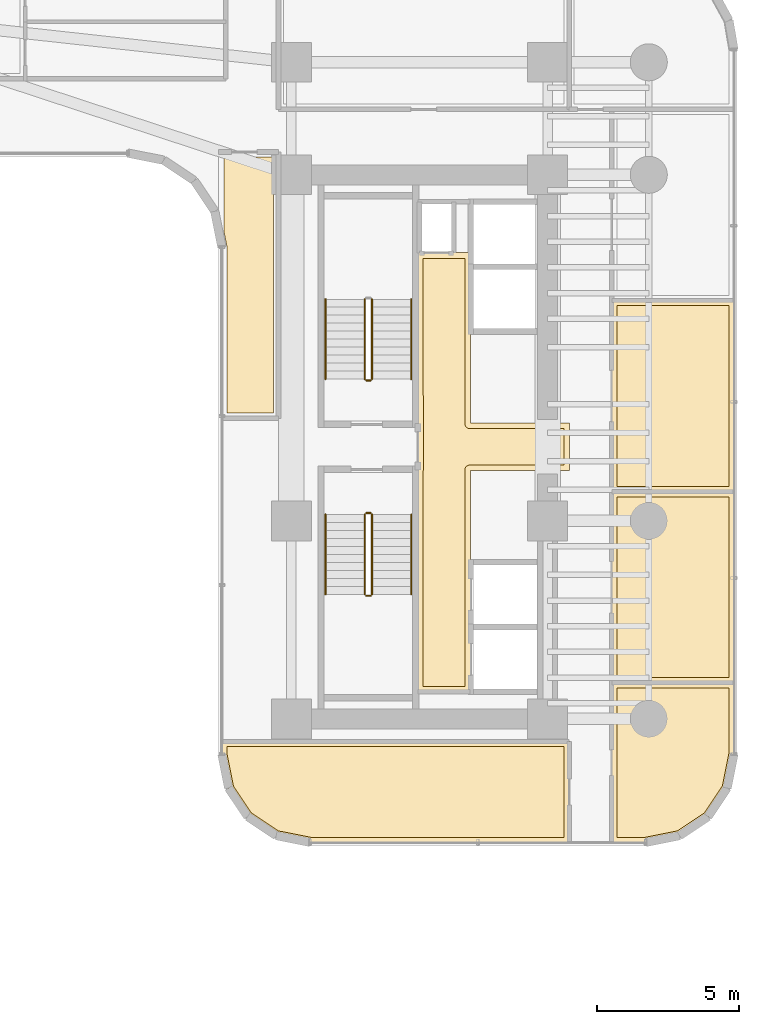
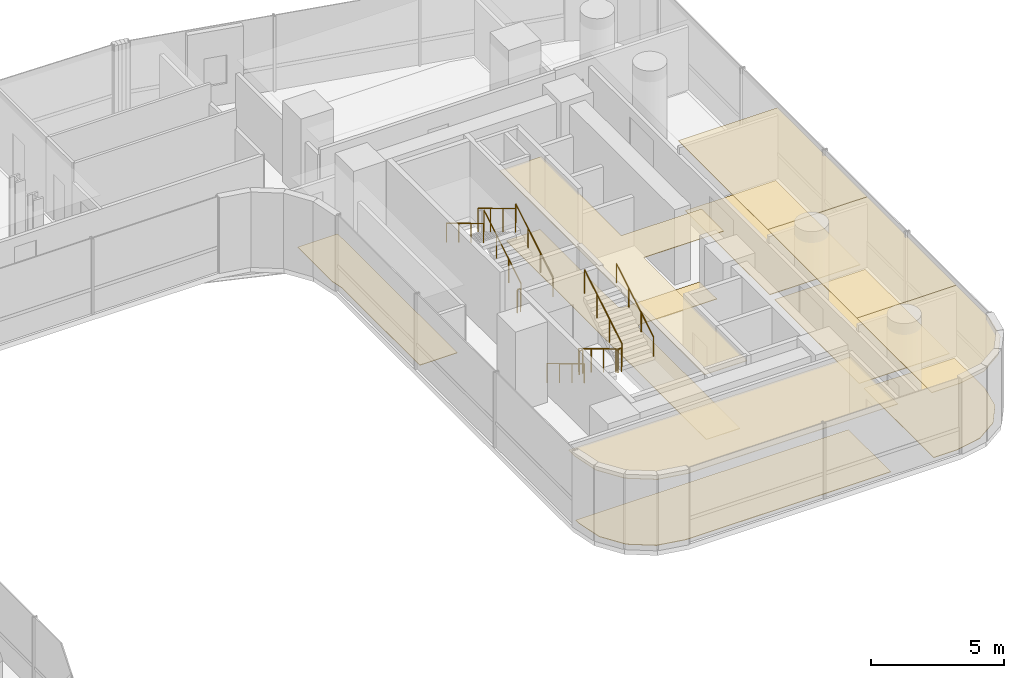
# One storey, part 39 of 41: 11 coverings, 11 railings.
"""IFC4 building model written with IfcOpenShell, lengths in metres."""

import ifcopenshell
import ifcopenshell.guid

model = None  # the IFC model being written
_history = None  # IfcOwnerHistory: only IFC2X3 demands one
_inside = {}  # id of a spatial element -> (the spatial element, [elements in it])
_under = {}  # id of a project, library or spatial element -> (it, [spatial elements below it])
_declared = {}  # id of a project -> (the project, [libraries it declares])
_typed = {}  # id of a type object -> (the type object, [elements of that type])
_made_of = {}  # id of a material, layer set ... -> (it, [elements and type objects made of it])


def new_model(schema):
    """Start an empty IFC model of exactly this schema.

    Asked for "IFC4X3", IfcOpenShell would pick the latest addendum, in which some entities
    have other attributes; the version numbers below select the first issue.
    IFC2X3 requires an IfcOwnerHistory on every rooted entity: one is made here for all.
    """
    global model, _history
    if schema == "IFC4X3":
        model = ifcopenshell.file(schema_version=(4, 3, 0, 0))
    else:
        model = ifcopenshell.file(schema=schema)
    _inside.clear()
    _under.clear()
    _declared.clear()
    _typed.clear()
    _made_of.clear()
    _history = None
    if model.schema == "IFC2X3":
        org = make("IfcOrganization", Name="unknown")
        user = make(
            "IfcPersonAndOrganization",
            ThePerson=make("IfcPerson", FamilyName="unknown"),
            TheOrganization=org,
        )
        app = make(
            "IfcApplication",
            ApplicationDeveloper=org,
            Version="unknown",
            ApplicationFullName="unknown",
            ApplicationIdentifier="unknown",
        )
        _history = make(
            "IfcOwnerHistory",
            OwningUser=user,
            OwningApplication=app,
            ChangeAction="ADDED",
            CreationDate=0,
        )
    return model


def make(cls, **values):
    """One entity of the class cls with the attributes given. An attribute that is None is left unset."""
    return model.create_entity(
        cls, **{name: value for name, value in values.items() if value is not None}
    )


def rooted(cls, **values):
    """An entity with a GlobalId (a new one), such as an element, a storey or a relation."""
    return make(cls, GlobalId=ifcopenshell.guid.new(), OwnerHistory=_history, **values)


def si_unit(unit_type, name, prefix=None):
    """IfcSIUnit, for example si_unit("LENGTHUNIT", "METRE", prefix="MILLI")."""
    return make("IfcSIUnit", UnitType=unit_type, Prefix=prefix, Name=name)


def assignment(units):
    """IfcUnitAssignment: the units of a project."""
    return None if units is None else make("IfcUnitAssignment", Units=units)


def point(xyz):
    """IfcCartesianPoint."""
    return None if xyz is None else make("IfcCartesianPoint", Coordinates=xyz)


def direction(xyz):
    """IfcDirection."""
    return None if xyz is None else make("IfcDirection", DirectionRatios=xyz)


def frame(location, z_axis=None, x_axis=None):
    """IfcAxis2Placement3D, a coordinate frame: its origin and axes. An axis left out is left unset."""
    return make(
        "IfcAxis2Placement3D",
        Location=point(location),
        Axis=direction(z_axis),
        RefDirection=direction(x_axis),
    )


def frame_2d(location, x_axis=None):
    """IfcAxis2Placement2D, a coordinate frame in the plane: its origin and x axis."""
    return make(
        "IfcAxis2Placement2D", Location=point(location), RefDirection=direction(x_axis)
    )


def origin():
    """The frame at (0, 0, 0) with its axes left unset."""
    return frame((0.0, 0.0, 0.0))


def origin_2d():
    """The frame at (0, 0) in the plane with its x axis left unset."""
    return frame_2d((0.0, 0.0))


def place(relative_to, where):
    """IfcLocalPlacement: puts the frame where relative to a parent placement (None: the world)."""
    return make(
        "IfcLocalPlacement", PlacementRelTo=relative_to, RelativePlacement=where
    )


def context(
    kind, dimensions, precision=None, world=None, true_north=None, identifier=None
):
    """IfcGeometricRepresentationContext, for example the 3D "Model" context."""
    return make(
        "IfcGeometricRepresentationContext",
        ContextIdentifier=identifier,
        ContextType=kind,
        CoordinateSpaceDimension=dimensions,
        Precision=precision,
        WorldCoordinateSystem=world,
        TrueNorth=true_north,
    )


def subcontext(parent, identifier, kind, view, scale=None):
    """IfcGeometricRepresentationSubContext, for example "Body" below "Model"."""
    return make(
        "IfcGeometricRepresentationSubContext",
        ContextIdentifier=identifier,
        ContextType=kind,
        ParentContext=parent,
        TargetScale=scale,
        TargetView=view,
    )


def project(units=None, contexts=None):
    """IfcProject with its units and contexts."""
    return rooted(
        "IfcProject",
        Name="project",
        RepresentationContexts=contexts,
        UnitsInContext=assignment(units),
    )


def spatial(cls, under=None, at=None, **own):
    """A site, building, storey or space (cls), placed at a placement, below another one or the project."""
    s = rooted(cls, ObjectPlacement=at, **own)
    if under is not None:
        _under.setdefault(under.id(), (under, []))[1].append(s)
    return s


def polyline(points):
    """IfcPolyline through the points."""
    return make("IfcPolyline", Points=[point(p) for p in points])


def profile(cls, at=None, kind="AREA", **sizes):
    """A parametric profile (cls). Its sizes go by their IFC names, for example OverallWidth=200.0."""
    return make(cls, ProfileType=kind, Position=at, **sizes)


def circle(**sizes):
    """IfcCircleProfileDef."""
    return profile("IfcCircleProfileDef", **sizes)


def outline(outer, holes=None, kind="AREA"):
    """IfcArbitraryClosedProfileDef: a profile drawn as a closed curve; with holes, ...WithVoids."""
    if holes is None:
        return make("IfcArbitraryClosedProfileDef", ProfileType=kind, OuterCurve=outer)
    return make(
        "IfcArbitraryProfileDefWithVoids",
        ProfileType=kind,
        OuterCurve=outer,
        InnerCurves=holes,
    )


def extrude(swept, where, along, depth):
    """IfcExtrudedAreaSolid: the profile swept, set in the frame where, extruded along a direction by depth."""
    return make(
        "IfcExtrudedAreaSolid",
        SweptArea=swept,
        Position=where,
        ExtrudedDirection=direction(along),
        Depth=depth,
    )


def shape(context_of_items, identifier, shape_type, items):
    """IfcShapeRepresentation: the items that make up one representation, for example the "Body"."""
    return make(
        "IfcShapeRepresentation",
        ContextOfItems=context_of_items,
        RepresentationIdentifier=identifier,
        RepresentationType=shape_type,
        Items=items,
    )


def material(Name=None, Category=None):
    """IfcMaterial."""
    return make("IfcMaterial", Name=Name, Category=Category)


def layer(
    of_material, thickness, ventilated=None, Name=None, Category=None, Priority=None
):
    """IfcMaterialLayer: one layer of a wall or slab, of a material (None: an air gap)."""
    return make(
        "IfcMaterialLayer",
        Material=of_material,
        LayerThickness=thickness,
        IsVentilated=ventilated,
        Name=Name,
        Category=Category,
        Priority=Priority,
    )


def layer_set(layers, Name=None):
    """IfcMaterialLayerSet."""
    return make("IfcMaterialLayerSet", MaterialLayers=layers, LayerSetName=Name)


def made_of(thing, what):
    """Note that an element or type object is made of a material, layer set ...; save() writes the relation."""
    if what is not None:
        _made_of.setdefault(what.id(), (what, []))[1].append(thing)
    return thing


def type_object(cls, material=None, **own):
    """A type object (cls), such as IfcWallType, which elements share."""
    return made_of(rooted(cls, **own), material)


def element(
    cls,
    number,
    at=None,
    inside=None,
    cuts=None,
    type_object=None,
    material=None,
    context=None,
    identifier="Body",
    shape_type=None,
    held_by="IfcProductDefinitionShape",
    body=None,
    shapes=None,
    **own,
):
    """One element of the class cls, such as IfcWall. Its Tag is "e" and its number.

    at: its placement. inside: the storey or other place that contains it. cuts: it is an
    opening in that element (IfcRelVoidsElement). A single representation is given by context,
    identifier, shape_type and body (its items); several are given by shapes. held_by: the class
    of the entity that holds the representations. save() writes the other relations.
    """
    e = rooted(cls, Tag="e%d" % number, ObjectPlacement=at, **own)
    if body is not None:
        shapes = [shape(context, identifier, shape_type, body)]
    if shapes is not None:
        e.Representation = make(held_by, Representations=shapes)
    if inside is not None:
        _inside.setdefault(inside.id(), (inside, []))[1].append(e)
    if cuts is not None:
        rooted(
            "IfcRelVoidsElement", RelatingBuildingElement=cuts, RelatedOpeningElement=e
        )
    if type_object is not None:
        _typed.setdefault(type_object.id(), (type_object, []))[1].append(e)
    return made_of(e, material)


def aggregate(whole, parts):
    """IfcRelAggregates: a whole, such as a stair, and the parts it consists of."""
    return rooted("IfcRelAggregates", RelatingObject=whole, RelatedObjects=parts)


def save(model, path):
    """Write the relations noted so far, then the file.

    IfcRelAggregates (storeys below a building ...), IfcRelContainedInSpatialStructure (elements
    in a storey), IfcRelDefinesByType, IfcRelAssociatesMaterial and IfcRelDeclares: one each for
    every whole, place, type object, material and project.
    """
    for whole, parts in _under.values():
        aggregate(whole, parts)
    for where, things in _inside.values():
        rooted(
            "IfcRelContainedInSpatialStructure",
            RelatedElements=things,
            RelatingStructure=where,
        )
    for kind, things in _typed.values():
        rooted("IfcRelDefinesByType", RelatedObjects=things, RelatingType=kind)
    for what, things in _made_of.values():
        rooted("IfcRelAssociatesMaterial", RelatedObjects=things, RelatingMaterial=what)
    for by, libraries in _declared.values():
        rooted("IfcRelDeclares", RelatingContext=by, RelatedDefinitions=libraries)
    model.write(path)


model = new_model("IFC4")

# Units and contexts
model_context = context("Model", 3, precision=1e-05, world=origin(), true_north=direction((0.0, 1.0)))
body_context = subcontext(model_context, "Body", "Model", "MODEL_VIEW")
ifc_project = project(units=[si_unit("LENGTHUNIT", "METRE"), si_unit("AREAUNIT", "SQUARE_METRE"), si_unit("VOLUMEUNIT", "CUBIC_METRE"), si_unit("PLANEANGLEUNIT", "RADIAN"), si_unit("MASSUNIT", "GRAM", prefix="KILO")], contexts=[model_context])

# Site, building, storey
site_placement = place(None, origin())
site = spatial("IfcSite", under=ifc_project, at=site_placement, CompositionType="ELEMENT")
building_placement = place(site_placement, origin())
building = spatial("IfcBuilding", under=site, at=building_placement, Name="Valdorenza Pilgrim Sanctuary Tower", CompositionType="ELEMENT")
storey_placement = place(building_placement, frame((0.0, 0.0, 88.89990234375)))
storey = spatial("IfcBuildingStorey", under=building, at=storey_placement, Name="L22", CompositionType="ELEMENT", Elevation=88.89990234375)

# Coverings
ifc_material_1 = material(Name="Micro-perforated acoustic mineral ceiling tile", Category="gypsum")
ifc_layer_1 = layer(ifc_material_1, 0.02490234375, Name="Micro-perforated acoustic mineral ceiling tile")
ifc_layer_set_1 = layer_set([ifc_layer_1], Name="Micro-perforated acoustic mineral ceiling tile")
covering_type_1 = type_object("IfcCoveringType", Name="COV-CLG-ACU", PredefinedType="CEILING", material=ifc_layer_set_1)
covering_1_placement = place(storey_placement, frame((0.0, 0.0, 3.16015625)))
element("IfcCovering", 1, at=covering_1_placement, inside=storey, type_object=covering_type_1, Name="L22 Core B Passenger Lift Lobby Acoustic Ceiling", PredefinedType="CEILING", context=body_context, shape_type="SweptSolid", body=[
    extrude(outline(polyline([(20.287109375, -0.814697265625), (20.287109375, 0.814697265625), (20.28662109375, 0.815185546875), (20.2861328125, 0.81640625), (20.28564453125, 0.81787109375), (20.285400390625, 0.819091796875), (20.28515625, 0.820556640625), (20.284912109375, 0.822021484375), (20.284912109375, 6.800048828125), (20.28515625, 6.801513671875), (20.285400390625, 6.802978515625), (20.28564453125, 6.804443359375), (20.2861328125, 6.8056640625), (20.286865234375, 6.80712890625), (20.28759765625, 6.808349609375), (20.288330078125, 6.8095703125), (20.289306640625, 6.810546875), (20.29052734375, 6.8115234375), (20.291748046875, 6.8125), (20.29296875, 6.813232421875), (20.294189453125, 6.81396484375), (20.295654296875, 6.814453125), (20.297119140625, 6.814697265625), (20.298583984375, 6.81494140625), (20.300048828125, 6.81494140625), (20.347900390625, 6.81494140625), (20.349365234375, 6.81494140625), (20.350830078125, 6.814697265625), (20.352294921875, 6.814453125), (20.353515625, 6.81396484375), (20.35498046875, 6.813232421875), (20.35546875, 6.81298828125), (21.544677734375, 6.81298828125), (21.545166015625, 6.813232421875), (21.54638671875, 6.81396484375), (21.5478515625, 6.814453125), (21.54931640625, 6.814697265625), (21.550537109375, 6.81494140625), (21.552001953125, 6.81494140625), (22.1201171875, 6.81494140625), (22.12158203125, 6.81494140625), (22.122802734375, 6.814697265625), (22.12451171875, 6.814453125), (22.125732421875, 6.81396484375), (22.127197265625, 6.813232421875), (22.12841796875, 6.8125), (22.12939453125, 6.8115234375), (22.130615234375, 6.810546875), (22.131591796875, 6.8095703125), (22.132568359375, 6.808349609375), (22.13330078125, 6.80712890625), (22.1337890625, 6.8056640625), (22.134521484375, 6.804443359375), (22.134765625, 6.802978515625), (22.135009765625, 6.801513671875), (22.135009765625, 6.800048828125), (22.135009765625, 0.8349609375), (25.60009765625, 0.8349609375), (25.6015625, 0.8349609375), (25.602783203125, 0.834716796875), (25.6044921875, 0.83447265625), (25.605712890625, 0.833984375), (25.607177734375, 0.833251953125), (25.6083984375, 0.83251953125), (25.609619140625, 0.83154296875), (25.610595703125, 0.83056640625), (25.611572265625, 0.82958984375), (25.612548828125, 0.828369140625), (25.61328125, 0.8271484375), (25.614013671875, 0.82568359375), (25.614501953125, 0.824462890625), (25.61474609375, 0.822998046875), (25.614990234375, 0.821533203125), (25.614990234375, 0.820068359375), (25.614990234375, -0.820068359375), (25.614990234375, -0.821533203125), (25.61474609375, -0.822998046875), (25.614501953125, -0.824462890625), (25.614013671875, -0.82568359375), (25.61328125, -0.8271484375), (25.612548828125, -0.828369140625), (25.611572265625, -0.82958984375), (25.610595703125, -0.83056640625), (25.609619140625, -0.83154296875), (25.6083984375, -0.83251953125), (25.607177734375, -0.833251953125), (25.605712890625, -0.833984375), (25.6044921875, -0.83447265625), (25.602783203125, -0.834716796875), (25.6015625, -0.8349609375), (25.60009765625, -0.8349609375), (22.135009765625, -0.8349609375), (22.135009765625, -8.60009765625), (22.135009765625, -8.6015625), (22.134765625, -8.602783203125), (22.134521484375, -8.6044921875), (22.1337890625, -8.605712890625), (22.13330078125, -8.607177734375), (22.132568359375, -8.6083984375), (22.131591796875, -8.609619140625), (22.130615234375, -8.610595703125), (22.12939453125, -8.611572265625), (22.12841796875, -8.612548828125), (22.127197265625, -8.61328125), (22.125732421875, -8.614013671875), (22.12451171875, -8.614501953125), (22.122802734375, -8.61474609375), (22.12158203125, -8.614990234375), (22.1201171875, -8.614990234375), (20.300048828125, -8.614990234375), (20.298583984375, -8.614990234375), (20.297119140625, -8.61474609375), (20.295654296875, -8.614501953125), (20.294189453125, -8.614013671875), (20.29296875, -8.61328125), (20.291748046875, -8.612548828125), (20.29052734375, -8.611572265625), (20.289306640625, -8.610595703125), (20.288330078125, -8.609619140625), (20.28759765625, -8.6083984375), (20.286865234375, -8.607177734375), (20.2861328125, -8.605712890625), (20.28564453125, -8.6044921875), (20.285400390625, -8.602783203125), (20.28515625, -8.6015625), (20.284912109375, -8.60009765625), (20.284912109375, -0.822021484375), (20.28515625, -0.820556640625), (20.285400390625, -0.819091796875), (20.28564453125, -0.81787109375), (20.2861328125, -0.81640625), (20.28662109375, -0.815185546875), (20.287109375, -0.814697265625)])), origin(), (0.0, 0.0, 1.0), 0.02490234375),
])
covering_2_placement = place(storey_placement, frame((0.0, 0.0, 3.16015625)))
element("IfcCovering", 2, at=covering_2_placement, inside=storey, type_object=covering_type_1, Name="L22 Theological Reference Library L22-BS Acoustic Ceiling", PredefinedType="CEILING", context=body_context, shape_type="SweptSolid", body=[
    extrude(outline(polyline([(25.614990234375, -13.889892578125), (25.614990234375, -13.8916015625), (25.61474609375, -13.892822265625), (25.614501953125, -13.894287109375), (25.614013671875, -13.895751953125), (25.61328125, -13.897216796875), (25.612548828125, -13.898193359375), (25.611572265625, -13.8994140625), (25.610595703125, -13.900634765625), (25.609619140625, -13.901611328125), (25.6083984375, -13.902587890625), (25.607177734375, -13.9033203125), (25.605712890625, -13.90380859375), (25.6044921875, -13.904296875), (25.602783203125, -13.90478515625), (25.6015625, -13.90478515625), (25.60009765625, -13.905029296875), (16.5107421875, -13.905029296875), (16.509521484375, -13.90478515625), (16.5078125, -13.90478515625), (15.3154296875, -13.66748046875), (15.31396484375, -13.6669921875), (15.3125, -13.66650390625), (15.311279296875, -13.666015625), (15.31005859375, -13.665283203125), (14.308349609375, -12.995849609375), (14.30712890625, -12.9951171875), (14.305908203125, -12.993896484375), (14.304931640625, -12.992919921875), (14.30419921875, -12.99169921875), (13.634765625, -11.989990234375), (13.634033203125, -11.98876953125), (13.63330078125, -11.9873046875), (13.6328125, -11.986083984375), (13.632568359375, -11.984619140625), (13.395263671875, -10.7919921875), (13.39501953125, -10.79052734375), (13.39501953125, -10.789306640625), (13.39501953125, -10.35009765625), (13.39501953125, -10.348388671875), (13.395263671875, -10.34716796875), (13.3955078125, -10.345703125), (13.39599609375, -10.34423828125), (13.396728515625, -10.343017578125), (13.3974609375, -10.341796875), (13.3984375, -10.340576171875), (13.3994140625, -10.33935546875), (13.400390625, -10.33837890625), (13.401611328125, -10.33740234375), (13.40283203125, -10.3369140625), (13.404296875, -10.336181640625), (13.405517578125, -10.335693359375), (13.406982421875, -10.335205078125), (13.408447265625, -10.335205078125), (13.409912109375, -10.3349609375), (25.60009765625, -10.3349609375), (25.6015625, -10.335205078125), (25.602783203125, -10.335205078125), (25.6044921875, -10.335693359375), (25.605712890625, -10.336181640625), (25.607177734375, -10.3369140625), (25.6083984375, -10.33740234375), (25.609619140625, -10.33837890625), (25.610595703125, -10.33935546875), (25.611572265625, -10.340576171875), (25.612548828125, -10.341796875), (25.61328125, -10.343017578125), (25.614013671875, -10.34423828125), (25.614501953125, -10.345703125), (25.61474609375, -10.34716796875), (25.614990234375, -10.348388671875), (25.614990234375, -10.35009765625), (25.614990234375, -13.889892578125)])), origin(), (0.0, 0.0, 1.0), 0.02490234375),
])
covering_3_placement = place(storey_placement, frame((0.0, 0.0, 3.16015625)))
element("IfcCovering", 3, at=covering_3_placement, inside=storey, type_object=covering_type_1, Name="L22 East Reading Lounge L22-EB1 Acoustic Ceiling", PredefinedType="CEILING", context=body_context, shape_type="SweptSolid", body=[
    extrude(outline(polyline([(31.389892578125, -8.2724609375), (31.3916015625, -8.272705078125), (31.392822265625, -8.272705078125), (31.394287109375, -8.273193359375), (31.395751953125, -8.273681640625), (31.397216796875, -8.2744140625), (31.398193359375, -8.27490234375), (31.3994140625, -8.27587890625), (31.400634765625, -8.27685546875), (31.401611328125, -8.278076171875), (31.402587890625, -8.279296875), (31.4033203125, -8.280517578125), (31.40380859375, -8.28173828125), (31.404296875, -8.283203125), (31.40478515625, -8.28466796875), (31.40478515625, -8.285888671875), (31.405029296875, -8.28759765625), (31.405029296875, -10.789306640625), (31.40478515625, -10.79052734375), (31.40478515625, -10.7919921875), (31.16748046875, -11.984619140625), (31.1669921875, -11.986083984375), (31.16650390625, -11.9873046875), (31.166015625, -11.98876953125), (31.165283203125, -11.989990234375), (30.495849609375, -12.99169921875), (30.4951171875, -12.992919921875), (30.493896484375, -12.993896484375), (30.492919921875, -12.9951171875), (30.49169921875, -12.995849609375), (29.489990234375, -13.665283203125), (29.48876953125, -13.666015625), (29.4873046875, -13.66650390625), (29.486083984375, -13.6669921875), (29.484619140625, -13.66748046875), (28.2919921875, -13.90478515625), (28.29052734375, -13.90478515625), (28.289306640625, -13.905029296875), (27.10009765625, -13.905029296875), (27.098388671875, -13.90478515625), (27.09716796875, -13.90478515625), (27.095703125, -13.904296875), (27.09423828125, -13.90380859375), (27.093017578125, -13.9033203125), (27.091796875, -13.902587890625), (27.090576171875, -13.901611328125), (27.08935546875, -13.900634765625), (27.08837890625, -13.8994140625), (27.08740234375, -13.898193359375), (27.0869140625, -13.897216796875), (27.086181640625, -13.895751953125), (27.085693359375, -13.894287109375), (27.085205078125, -13.892822265625), (27.085205078125, -13.8916015625), (27.0849609375, -13.889892578125), (27.0849609375, -8.28759765625), (27.085205078125, -8.285888671875), (27.085205078125, -8.28466796875), (27.085693359375, -8.283203125), (27.086181640625, -8.28173828125), (27.0869140625, -8.280517578125), (27.08740234375, -8.279296875), (27.08837890625, -8.278076171875), (27.08935546875, -8.27685546875), (27.090576171875, -8.27587890625), (27.091796875, -8.27490234375), (27.093017578125, -8.2744140625), (27.09423828125, -8.273681640625), (27.095703125, -8.273193359375), (27.09716796875, -8.272705078125), (27.098388671875, -8.272705078125), (27.10009765625, -8.2724609375), (31.389892578125, -8.2724609375)])), origin(), (0.0, 0.0, 1.0), 0.02490234375),
])
covering_4_placement = place(storey_placement, frame((0.0, 0.0, 3.16015625)))
element("IfcCovering", 4, at=covering_4_placement, inside=storey, type_object=covering_type_1, Name="L22 East Reading Lounge L22-EB2 Acoustic Ceiling", PredefinedType="CEILING", context=body_context, shape_type="SweptSolid", body=[
    extrude(outline(polyline([(27.0849609375, -1.574951171875), (27.085205078125, -1.573486328125), (27.085205078125, -1.572021484375), (27.085693359375, -1.570556640625), (27.086181640625, -1.5693359375), (27.0869140625, -1.56787109375), (27.08740234375, -1.566650390625), (27.08837890625, -1.5654296875), (27.08935546875, -1.564453125), (27.090576171875, -1.5634765625), (27.091796875, -1.5625), (27.093017578125, -1.561767578125), (27.09423828125, -1.56103515625), (27.095703125, -1.560546875), (27.09716796875, -1.560302734375), (27.098388671875, -1.56005859375), (27.10009765625, -1.56005859375), (31.389892578125, -1.56005859375), (31.3916015625, -1.56005859375), (31.392822265625, -1.560302734375), (31.394287109375, -1.560546875), (31.395751953125, -1.56103515625), (31.397216796875, -1.561767578125), (31.398193359375, -1.5625), (31.3994140625, -1.5634765625), (31.400634765625, -1.564453125), (31.401611328125, -1.5654296875), (31.402587890625, -1.566650390625), (31.4033203125, -1.56787109375), (31.40380859375, -1.5693359375), (31.404296875, -1.570556640625), (31.40478515625, -1.572021484375), (31.40478515625, -1.573486328125), (31.405029296875, -1.574951171875), (31.405029296875, -8.285400390625), (31.40478515625, -8.287109375), (31.40478515625, -8.288330078125), (31.404296875, -8.289794921875), (31.40380859375, -8.291259765625), (31.4033203125, -8.29248046875), (31.402587890625, -8.293701171875), (31.401611328125, -8.294921875), (31.400634765625, -8.296142578125), (31.3994140625, -8.297119140625), (31.398193359375, -8.298095703125), (31.397216796875, -8.298583984375), (31.395751953125, -8.29931640625), (31.394287109375, -8.2998046875), (31.392822265625, -8.30029296875), (31.3916015625, -8.30029296875), (31.389892578125, -8.300537109375), (27.10009765625, -8.300537109375), (27.098388671875, -8.30029296875), (27.09716796875, -8.30029296875), (27.095703125, -8.2998046875), (27.09423828125, -8.29931640625), (27.093017578125, -8.298583984375), (27.091796875, -8.298095703125), (27.090576171875, -8.297119140625), (27.08935546875, -8.296142578125), (27.08837890625, -8.294921875), (27.08740234375, -8.293701171875), (27.0869140625, -8.29248046875), (27.086181640625, -8.291259765625), (27.085693359375, -8.289794921875), (27.085205078125, -8.288330078125), (27.085205078125, -8.287109375), (27.0849609375, -8.285400390625), (27.0849609375, -1.574951171875)])), origin(), (0.0, 0.0, 1.0), 0.02490234375),
])
covering_5_placement = place(storey_placement, frame((0.0, 0.0, 3.16015625)))
element("IfcCovering", 5, at=covering_5_placement, inside=storey, type_object=covering_type_1, Name="L22 East Reading Lounge L22-EB3 Acoustic Ceiling", PredefinedType="CEILING", context=body_context, shape_type="SweptSolid", body=[
    extrude(outline(polyline([(27.0849609375, 5.137451171875), (27.085205078125, 5.138916015625), (27.085205078125, 5.140380859375), (27.085693359375, 5.141845703125), (27.086181640625, 5.143310546875), (27.0869140625, 5.14453125), (27.08740234375, 5.145751953125), (27.08837890625, 5.14697265625), (27.08935546875, 5.148193359375), (27.090576171875, 5.149169921875), (27.091796875, 5.14990234375), (27.093017578125, 5.150634765625), (27.09423828125, 5.1513671875), (27.095703125, 5.15185546875), (27.09716796875, 5.152099609375), (27.098388671875, 5.15234375), (27.10009765625, 5.152587890625), (31.389892578125, 5.152587890625), (31.3916015625, 5.15234375), (31.392822265625, 5.152099609375), (31.394287109375, 5.15185546875), (31.395751953125, 5.1513671875), (31.397216796875, 5.150634765625), (31.398193359375, 5.14990234375), (31.3994140625, 5.149169921875), (31.400634765625, 5.148193359375), (31.401611328125, 5.14697265625), (31.402587890625, 5.145751953125), (31.4033203125, 5.14453125), (31.40380859375, 5.143310546875), (31.404296875, 5.141845703125), (31.40478515625, 5.140380859375), (31.40478515625, 5.138916015625), (31.405029296875, 5.137451171875), (31.405029296875, -1.572998046875), (31.40478515625, -1.574462890625), (31.40478515625, -1.575927734375), (31.404296875, -1.577392578125), (31.40380859375, -1.57861328125), (31.4033203125, -1.580078125), (31.402587890625, -1.581298828125), (31.401611328125, -1.58251953125), (31.400634765625, -1.58349609375), (31.3994140625, -1.584716796875), (31.398193359375, -1.58544921875), (31.397216796875, -1.586181640625), (31.395751953125, -1.5869140625), (31.394287109375, -1.58740234375), (31.392822265625, -1.587646484375), (31.3916015625, -1.587890625), (31.389892578125, -1.587890625), (27.10009765625, -1.587890625), (27.098388671875, -1.587890625), (27.09716796875, -1.587646484375), (27.095703125, -1.58740234375), (27.09423828125, -1.5869140625), (27.093017578125, -1.586181640625), (27.091796875, -1.58544921875), (27.090576171875, -1.584716796875), (27.08935546875, -1.58349609375), (27.08837890625, -1.58251953125), (27.08740234375, -1.581298828125), (27.0869140625, -1.580078125), (27.086181640625, -1.57861328125), (27.085693359375, -1.577392578125), (27.085205078125, -1.575927734375), (27.085205078125, -1.574462890625), (27.0849609375, -1.572998046875), (27.0849609375, 5.137451171875)])), origin(), (0.0, 0.0, 1.0), 0.02490234375),
])
ifc_material_2 = material(Name="Honed travertine stone flooring", Category="masonry")
ifc_layer_2 = layer(ifc_material_2, 0.030029296875, Name="Honed travertine stone flooring")
ifc_layer_set_2 = layer_set([ifc_layer_2], Name="Honed travertine stone flooring")
covering_type_2 = type_object("IfcCoveringType", Name="COV-FLR-TRV", PredefinedType="FLOORING", material=ifc_layer_set_2)
covering_6_placement = place(storey_placement, origin())
element("IfcCovering", 6, at=covering_6_placement, inside=storey, type_object=covering_type_2, Name="L22 Core B Passenger Lift Lobby Flooring", PredefinedType="FLOORING", context=body_context, shape_type="SweptSolid", body=[
    extrude(outline(polyline([(20.47998046875, 6.617919921875), (21.550048828125, 6.617919921875), (21.550537109375, 6.617919921875), (21.93994140625, 6.619384765625), (21.93994140625, 0.820068359375), (21.94091796875, 0.802490234375), (21.943603515625, 0.784912109375), (21.94775390625, 0.767578125), (21.95361328125, 0.751220703125), (21.961181640625, 0.735107421875), (21.97021484375, 0.719970703125), (21.98095703125, 0.705810546875), (21.99267578125, 0.692626953125), (22.005859375, 0.680908203125), (22.02001953125, 0.67041015625), (22.03515625, 0.661376953125), (22.051025390625, 0.65380859375), (22.067626953125, 0.647705078125), (22.0849609375, 0.6435546875), (22.102294921875, 0.640869140625), (22.1201171875, 0.639892578125), (25.419921875, 0.639892578125), (25.419921875, -0.639892578125), (22.1201171875, -0.639892578125), (22.102294921875, -0.640869140625), (22.0849609375, -0.6435546875), (22.067626953125, -0.647705078125), (22.051025390625, -0.65380859375), (22.03515625, -0.661376953125), (22.02001953125, -0.67041015625), (22.005859375, -0.680908203125), (21.99267578125, -0.692626953125), (21.98095703125, -0.705810546875), (21.97021484375, -0.719970703125), (21.961181640625, -0.735107421875), (21.95361328125, -0.751220703125), (21.94775390625, -0.767578125), (21.943603515625, -0.784912109375), (21.94091796875, -0.802490234375), (21.93994140625, -0.820068359375), (21.93994140625, -8.419921875), (20.47998046875, -8.419921875), (20.47998046875, -0.846923828125), (20.47998046875, -0.8466796875), (20.47998046875, -0.8466796875), (20.481689453125, -0.8291015625), (20.481689453125, -0.828857421875), (20.48193359375, -0.820068359375), (20.48193359375, 0.820068359375), (20.47998046875, 6.617919921875)])), origin(), (0.0, 0.0, 1.0), 0.025146484375),
])
covering_7_placement = place(storey_placement, origin())
element("IfcCovering", 7, at=covering_7_placement, inside=storey, type_object=covering_type_2, Name="L22 Theological Reference Library L22-BS Flooring", PredefinedType="FLOORING", context=body_context, shape_type="SweptSolid", body=[
    extrude(outline(polyline([(25.419921875, -13.7099609375), (16.528564453125, -13.7099609375), (15.388671875, -13.483154296875), (14.4462890625, -12.853515625), (13.81689453125, -11.911376953125), (13.590087890625, -10.771484375), (13.590087890625, -10.530029296875), (25.419921875, -10.530029296875), (25.419921875, -13.7099609375)])), origin(), (0.0, 0.0, 1.0), 0.025146484375),
])
covering_8_placement = place(storey_placement, origin())
element("IfcCovering", 8, at=covering_8_placement, inside=storey, type_object=covering_type_2, Name="L22 East Reading Lounge L22-EB1 Flooring", PredefinedType="FLOORING", context=body_context, shape_type="SweptSolid", body=[
    extrude(outline(polyline([(31.2099609375, -8.467529296875), (31.2099609375, -10.771484375), (30.983154296875, -11.911376953125), (30.353515625, -12.853515625), (29.411376953125, -13.483154296875), (28.271484375, -13.7099609375), (27.280029296875, -13.7099609375), (27.280029296875, -8.467529296875), (31.2099609375, -8.467529296875)])), origin(), (0.0, 0.0, 1.0), 0.025146484375),
])
covering_9_placement = place(storey_placement, origin())
element("IfcCovering", 9, at=covering_9_placement, inside=storey, type_object=covering_type_2, Name="L22 East Reading Lounge L22-EB2 Flooring", PredefinedType="FLOORING", context=body_context, shape_type="SweptSolid", body=[
    extrude(outline(polyline([(27.280029296875, -1.7548828125), (31.2099609375, -1.7548828125), (31.2099609375, -8.10546875), (27.280029296875, -8.10546875), (27.280029296875, -1.7548828125)])), origin(), (0.0, 0.0, 1.0), 0.025146484375),
])
covering_10_placement = place(storey_placement, origin())
element("IfcCovering", 10, at=covering_10_placement, inside=storey, type_object=covering_type_2, Name="L22 East Reading Lounge L22-EB3 Flooring", PredefinedType="FLOORING", context=body_context, shape_type="SweptSolid", body=[
    extrude(outline(polyline([(27.280029296875, 4.95751953125), (31.2099609375, 4.95751953125), (31.2099609375, -1.39306640625), (27.280029296875, -1.39306640625), (27.280029296875, 4.95751953125)])), origin(), (0.0, 0.0, 1.0), 0.025146484375),
])
covering_11_placement = place(storey_placement, origin())
element("IfcCovering", 11, at=covering_11_placement, inside=storey, type_object=covering_type_2, Name="L22 Courtyard Overlook Salon L22 Flooring", PredefinedType="FLOORING", context=body_context, shape_type="SweptSolid", body=[
    extrude(outline(polyline([(15.219970703125, 10.169921875), (15.219970703125, 1.179931640625), (13.590087890625, 1.179931640625), (13.590087890625, 7.0), (13.58984375, 7.0087890625), (13.58935546875, 7.01953125), (13.58740234375, 7.037109375), (13.5859375, 7.0478515625), (13.58447265625, 7.056640625), (13.47998046875, 7.58154296875), (13.47998046875, 10.169921875), (15.219970703125, 10.169921875)])), origin(), (0.0, 0.0, 1.0), 0.025146484375),
])

# Railings
ifc_material_3 = material(Name="Stainless steel Grade 316", Category="steel")
railing_type_1 = type_object("IfcRailingType", Name="RLG-GRD-1120", PredefinedType="GUARDRAIL", material=ifc_material_3)
railing_1_placement = place(storey_placement, frame((18.679931640625, 2.3798828125, 0.168212890625)))
element("IfcRailing", 12, at=railing_1_placement, inside=storey, type_object=railing_type_1, Name="L22 ST-B1 stair guard 1", PredefinedType="GUARDRAIL", context=body_context, shape_type="SweptSolid", body=[
    extrude(circle(Radius=0.02392578125, at=origin_2d()), frame((0.0, 0.0, 1.076171875), z_axis=(0.0, 0.857242210791, 0.514913383045), x_axis=(-1.0, 0.0, 0.0)), (0.0, 0.0, 1.0), 3.266357421875),
    extrude(circle(Radius=0.02099609375, at=origin_2d()), origin(), (0.0, 0.0, 1.0), 1.052001953125),
    extrude(circle(Radius=0.02099609375, at=origin_2d()), frame((0.0, 0.933349609375, 0.560546875)), (0.0, 0.0, 1.0), 1.052001953125),
    extrude(circle(Radius=0.02099609375, at=origin_2d()), frame((0.0, 1.86669921875, 1.121337890625)), (0.0, 0.0, 1.0), 1.052001953125),
    extrude(circle(Radius=0.02099609375, at=origin_2d()), frame((0.0, 2.800048828125, 1.681884765625)), (0.0, 0.0, 1.0), 1.052001953125),
])
railing_2_placement = place(storey_placement, frame((18.429931640625, 5.179931640625, 2.018310546875)))
element("IfcRailing", 13, at=railing_2_placement, inside=storey, type_object=railing_type_1, Name="L22 ST-B1 stair guard 3", PredefinedType="GUARDRAIL", context=body_context, shape_type="SweptSolid", body=[
    extrude(circle(Radius=0.02392578125, at=origin_2d()), frame((0.0, 0.0, 1.076171875), z_axis=(0.0, -0.857242210791, 0.514913383045), x_axis=(1.0, 0.0, 0.0)), (0.0, 0.0, 1.0), 3.266357421875),
    extrude(circle(Radius=0.02099609375, at=origin_2d()), origin(), (0.0, 0.0, 1.0), 1.052001953125),
    extrude(circle(Radius=0.02099609375, at=origin_2d()), frame((0.0, -0.933349609375, 0.560546875)), (0.0, 0.0, 1.0), 1.052001953125),
    extrude(circle(Radius=0.02099609375, at=origin_2d()), frame((0.0, -1.86669921875, 1.121337890625)), (0.0, 0.0, 1.0), 1.052001953125),
    extrude(circle(Radius=0.02099609375, at=origin_2d()), frame((0.0, -2.800048828125, 1.681884765625)), (0.0, 0.0, 1.0), 1.052001953125),
])
railing_3_placement = place(storey_placement, frame((18.6298828125, 2.330078125, 0.0)))
element("IfcRailing", 14, at=railing_3_placement, inside=storey, type_object=railing_type_1, Name="L22 ST-B1 stair guard 4", PredefinedType="GUARDRAIL", context=body_context, shape_type="SweptSolid", body=[
    extrude(circle(Radius=0.02392578125, at=origin_2d()), frame((0.0, 0.0, 1.076171875), z_axis=(-1.0, 0.0, 0.0), x_axis=(0.0, -1.0, 0.0)), (0.0, 0.0, 1.0), 0.14990234375),
    extrude(circle(Radius=0.02099609375, at=origin_2d()), origin(), (0.0, 0.0, 1.0), 1.052001953125),
    extrude(circle(Radius=0.02099609375, at=origin_2d()), frame((-0.14990234375, 0.0, 0.0)), (0.0, 0.0, 1.0), 1.052001953125),
])
railing_4_placement = place(storey_placement, frame((18.429931640625, -2.3798828125, 0.168212890625)))
element("IfcRailing", 15, at=railing_4_placement, inside=storey, type_object=railing_type_1, Name="L22 ST-B2 stair guard 1", PredefinedType="GUARDRAIL", context=body_context, shape_type="SweptSolid", body=[
    extrude(circle(Radius=0.02392578125, at=origin_2d()), frame((0.0, 0.0, 1.076171875), z_axis=(0.0, -0.857242210791, 0.514913383045), x_axis=(1.0, 0.0, 0.0)), (0.0, 0.0, 1.0), 3.266357421875),
    extrude(circle(Radius=0.02099609375, at=origin_2d()), origin(), (0.0, 0.0, 1.0), 1.052001953125),
    extrude(circle(Radius=0.02099609375, at=origin_2d()), frame((0.0, -0.933349609375, 0.560546875)), (0.0, 0.0, 1.0), 1.052001953125),
    extrude(circle(Radius=0.02099609375, at=origin_2d()), frame((0.0, -1.86669921875, 1.121337890625)), (0.0, 0.0, 1.0), 1.052001953125),
    extrude(circle(Radius=0.02099609375, at=origin_2d()), frame((0.0, -2.800048828125, 1.681884765625)), (0.0, 0.0, 1.0), 1.052001953125),
])
railing_5_placement = place(storey_placement, frame((18.47998046875, -5.22998046875, 1.85009765625)))
element("IfcRailing", 16, at=railing_5_placement, inside=storey, type_object=railing_type_1, Name="L22 ST-B2 stair guard 2", PredefinedType="GUARDRAIL", context=body_context, shape_type="SweptSolid", body=[
    extrude(circle(Radius=0.02392578125, at=origin_2d()), frame((0.0, 0.0, 1.076171875), z_axis=(1.0, 0.0, 0.0), x_axis=(0.0, 1.0, 0.0)), (0.0, 0.0, 1.0), 0.14990234375),
    extrude(circle(Radius=0.02099609375, at=origin_2d()), origin(), (0.0, 0.0, 1.0), 1.052001953125),
    extrude(circle(Radius=0.02099609375, at=origin_2d()), frame((0.14990234375, 0.0, 0.0)), (0.0, 0.0, 1.0), 1.052001953125),
])
railing_6_placement = place(storey_placement, frame((18.679931640625, -5.179931640625, 2.018310546875)))
element("IfcRailing", 17, at=railing_6_placement, inside=storey, type_object=railing_type_1, Name="L22 ST-B2 stair guard 3", PredefinedType="GUARDRAIL", context=body_context, shape_type="SweptSolid", body=[
    extrude(circle(Radius=0.02392578125, at=origin_2d()), frame((0.0, 0.0, 1.076171875), z_axis=(0.0, 0.857242210791, 0.514913383045), x_axis=(-1.0, 0.0, 0.0)), (0.0, 0.0, 1.0), 3.266357421875),
    extrude(circle(Radius=0.02099609375, at=origin_2d()), origin(), (0.0, 0.0, 1.0), 1.052001953125),
    extrude(circle(Radius=0.02099609375, at=origin_2d()), frame((0.0, 0.933349609375, 0.560546875)), (0.0, 0.0, 1.0), 1.052001953125),
    extrude(circle(Radius=0.02099609375, at=origin_2d()), frame((0.0, 1.86669921875, 1.121337890625)), (0.0, 0.0, 1.0), 1.052001953125),
    extrude(circle(Radius=0.02099609375, at=origin_2d()), frame((0.0, 2.800048828125, 1.681884765625)), (0.0, 0.0, 1.0), 1.052001953125),
])
railing_7_placement = place(storey_placement, frame((18.47998046875, -2.330078125, 0.0)))
element("IfcRailing", 18, at=railing_7_placement, inside=storey, type_object=railing_type_1, Name="L22 ST-B2 stair guard 4", PredefinedType="GUARDRAIL", context=body_context, shape_type="SweptSolid", body=[
    extrude(circle(Radius=0.02392578125, at=origin_2d()), frame((0.0, 0.0, 1.076171875), z_axis=(1.0, 0.0, 0.0), x_axis=(0.0, 1.0, 0.0)), (0.0, 0.0, 1.0), 0.14990234375),
    extrude(circle(Radius=0.02099609375, at=origin_2d()), origin(), (0.0, 0.0, 1.0), 1.052001953125),
    extrude(circle(Radius=0.02099609375, at=origin_2d()), frame((0.14990234375, 0.0, 0.0)), (0.0, 0.0, 1.0), 1.052001953125),
])
ifc_material_4 = material(Name="Brushed stainless steel Grade 316", Category="steel")
railing_type_2 = type_object("IfcRailingType", Name="RLG-HND-920", PredefinedType="HANDRAIL", material=ifc_material_4)
railing_8_placement = place(storey_placement, frame((20.06005859375, 2.3798828125, 0.168212890625)))
element("IfcRailing", 19, at=railing_8_placement, inside=storey, type_object=railing_type_2, Name="L22 ST-B1 stair handrail 1", PredefinedType="HANDRAIL", context=body_context, shape_type="SweptSolid", body=[
    extrude(circle(Radius=0.02392578125, at=origin_2d()), frame((0.0, 0.0, 0.8759765625), z_axis=(0.0, 0.857242210791, 0.514913383045), x_axis=(-1.0, 0.0, 0.0)), (0.0, 0.0, 1.0), 3.266357421875),
    extrude(circle(Radius=0.02099609375, at=origin_2d()), origin(), (0.0, 0.0, 1.0), 0.851806640625),
    extrude(circle(Radius=0.02099609375, at=origin_2d()), frame((0.0, 0.933349609375, 0.560546875)), (0.0, 0.0, 1.0), 0.851806640625),
    extrude(circle(Radius=0.02099609375, at=origin_2d()), frame((0.0, 1.86669921875, 1.121337890625)), (0.0, 0.0, 1.0), 0.851806640625),
    extrude(circle(Radius=0.02099609375, at=origin_2d()), frame((0.0, 2.800048828125, 1.681884765625)), (0.0, 0.0, 1.0), 0.851806640625),
])
for number, where, name in (
    (20, (17.050048828125, 5.179931640625, 2.018310546875), "L22 ST-B1 stair handrail 2"),
    (21, (17.050048828125, -2.3798828125, 0.168212890625), "L22 ST-B2 stair handrail 1"),
):
    element("IfcRailing", number, at=place(storey_placement, frame(where)), inside=storey, type_object=railing_type_2, Name=name, PredefinedType="HANDRAIL", context=body_context, shape_type="SweptSolid", body=[
        extrude(circle(Radius=0.02392578125, at=origin_2d()), frame((0.0, 0.0, 0.8759765625), z_axis=(0.0, -0.857242210791, 0.514913383045), x_axis=(1.0, 0.0, 0.0)), (0.0, 0.0, 1.0), 3.266357421875),
        extrude(circle(Radius=0.02099609375, at=origin_2d()), origin(), (0.0, 0.0, 1.0), 0.851806640625),
        extrude(circle(Radius=0.02099609375, at=origin_2d()), frame((0.0, -0.933349609375, 0.560546875)), (0.0, 0.0, 1.0), 0.851806640625),
        extrude(circle(Radius=0.02099609375, at=origin_2d()), frame((0.0, -1.86669921875, 1.121337890625)), (0.0, 0.0, 1.0), 0.851806640625),
        extrude(circle(Radius=0.02099609375, at=origin_2d()), frame((0.0, -2.800048828125, 1.681884765625)), (0.0, 0.0, 1.0), 0.851806640625),
    ])
railing_9_placement = place(storey_placement, frame((20.06005859375, -5.179931640625, 2.018310546875)))
element("IfcRailing", 22, at=railing_9_placement, inside=storey, type_object=railing_type_2, Name="L22 ST-B2 stair handrail 2", PredefinedType="HANDRAIL", context=body_context, shape_type="SweptSolid", body=[
    extrude(circle(Radius=0.02392578125, at=origin_2d()), frame((0.0, 0.0, 0.8759765625), z_axis=(0.0, 0.857242210791, 0.514913383045), x_axis=(-1.0, 0.0, 0.0)), (0.0, 0.0, 1.0), 3.266357421875),
    extrude(circle(Radius=0.02099609375, at=origin_2d()), origin(), (0.0, 0.0, 1.0), 0.851806640625),
    extrude(circle(Radius=0.02099609375, at=origin_2d()), frame((0.0, 0.933349609375, 0.560546875)), (0.0, 0.0, 1.0), 0.851806640625),
    extrude(circle(Radius=0.02099609375, at=origin_2d()), frame((0.0, 1.86669921875, 1.121337890625)), (0.0, 0.0, 1.0), 0.851806640625),
    extrude(circle(Radius=0.02099609375, at=origin_2d()), frame((0.0, 2.800048828125, 1.681884765625)), (0.0, 0.0, 1.0), 0.851806640625),
])

save(model, "model.ifc")
